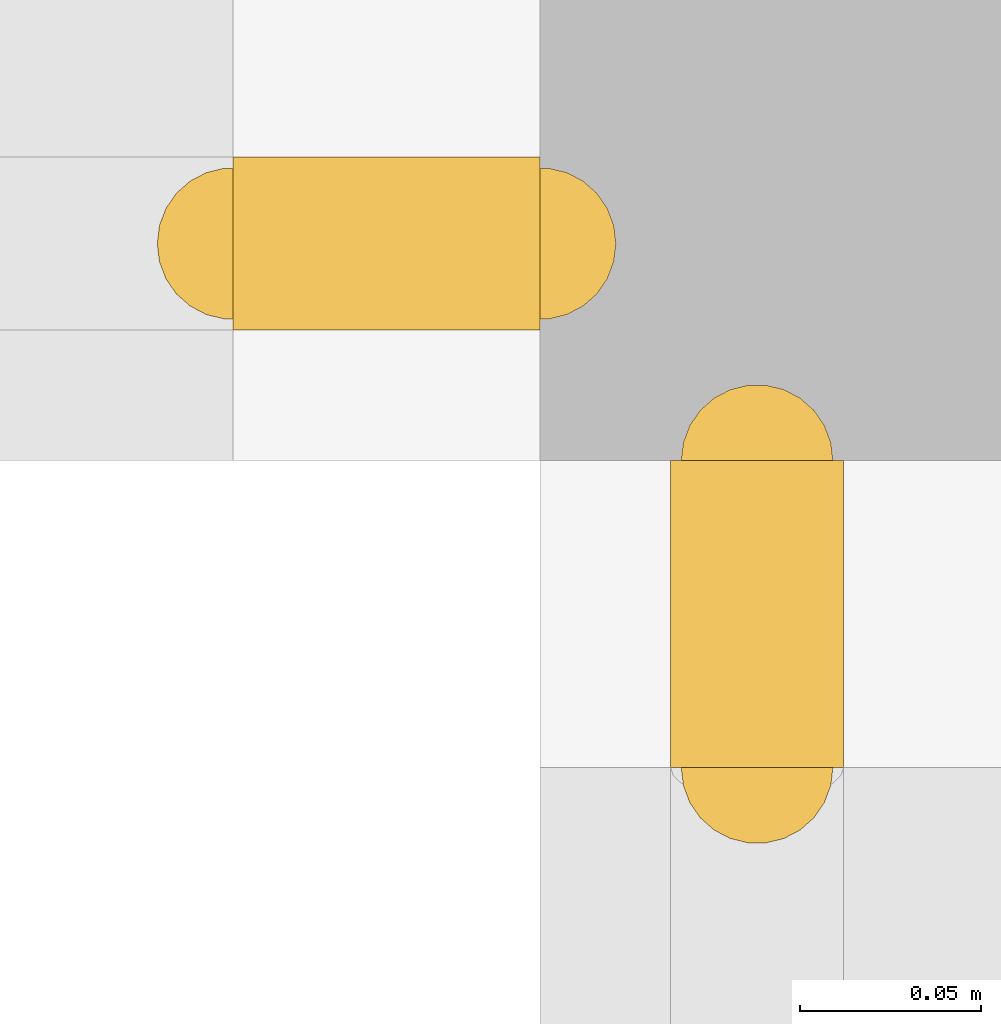
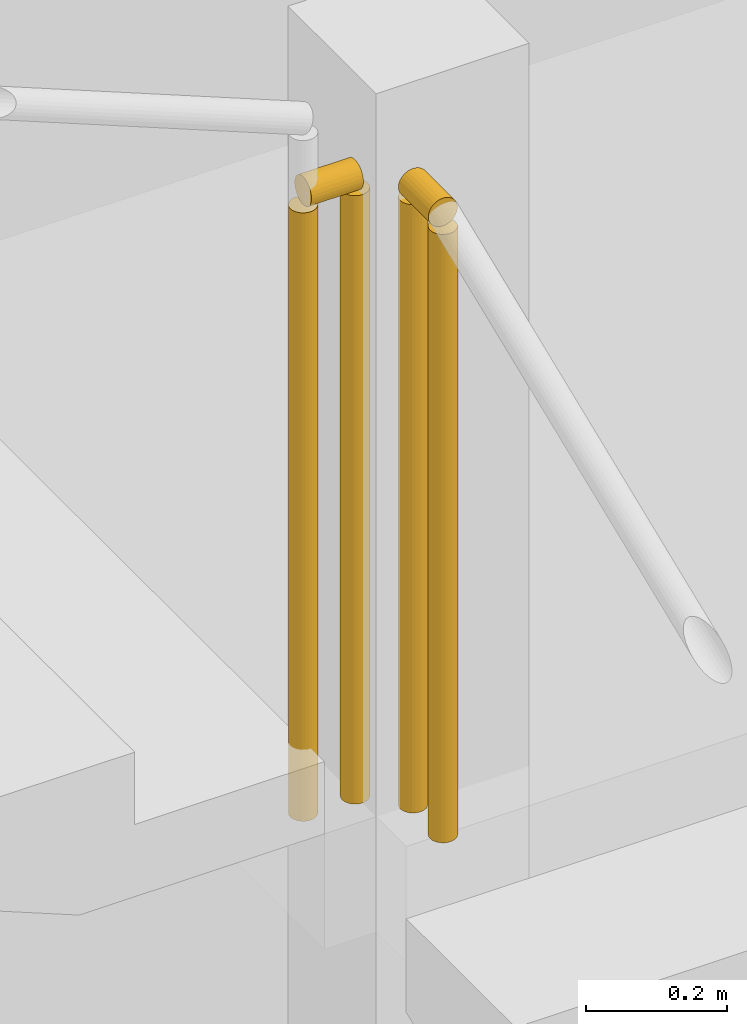
# One storey, part 33 of 37: 2 railings.
"""IFC4 building model written with IfcOpenShell, lengths in metres."""

import ifcopenshell
import ifcopenshell.guid

model = None  # the IFC model being written
_history = None  # IfcOwnerHistory: only IFC2X3 demands one
_inside = {}  # id of a spatial element -> (the spatial element, [elements in it])
_under = {}  # id of a project, library or spatial element -> (it, [spatial elements below it])
_declared = {}  # id of a project -> (the project, [libraries it declares])
_typed = {}  # id of a type object -> (the type object, [elements of that type])
_made_of = {}  # id of a material, layer set ... -> (it, [elements and type objects made of it])


def new_model(schema):
    """Start an empty IFC model of exactly this schema.

    Asked for "IFC4X3", IfcOpenShell would pick the latest addendum, in which some entities
    have other attributes; the version numbers below select the first issue.
    IFC2X3 requires an IfcOwnerHistory on every rooted entity: one is made here for all.
    """
    global model, _history
    if schema == "IFC4X3":
        model = ifcopenshell.file(schema_version=(4, 3, 0, 0))
    else:
        model = ifcopenshell.file(schema=schema)
    _inside.clear()
    _under.clear()
    _declared.clear()
    _typed.clear()
    _made_of.clear()
    _history = None
    if model.schema == "IFC2X3":
        org = make("IfcOrganization", Name="unknown")
        user = make(
            "IfcPersonAndOrganization",
            ThePerson=make("IfcPerson", FamilyName="unknown"),
            TheOrganization=org,
        )
        app = make(
            "IfcApplication",
            ApplicationDeveloper=org,
            Version="unknown",
            ApplicationFullName="unknown",
            ApplicationIdentifier="unknown",
        )
        _history = make(
            "IfcOwnerHistory",
            OwningUser=user,
            OwningApplication=app,
            ChangeAction="ADDED",
            CreationDate=0,
        )
    return model


def make(cls, **values):
    """One entity of the class cls with the attributes given. An attribute that is None is left unset."""
    return model.create_entity(
        cls, **{name: value for name, value in values.items() if value is not None}
    )


def rooted(cls, **values):
    """An entity with a GlobalId (a new one), such as an element, a storey or a relation."""
    return make(cls, GlobalId=ifcopenshell.guid.new(), OwnerHistory=_history, **values)


def si_unit(unit_type, name, prefix=None):
    """IfcSIUnit, for example si_unit("LENGTHUNIT", "METRE", prefix="MILLI")."""
    return make("IfcSIUnit", UnitType=unit_type, Prefix=prefix, Name=name)


def assignment(units):
    """IfcUnitAssignment: the units of a project."""
    return None if units is None else make("IfcUnitAssignment", Units=units)


def point(xyz):
    """IfcCartesianPoint."""
    return None if xyz is None else make("IfcCartesianPoint", Coordinates=xyz)


def direction(xyz):
    """IfcDirection."""
    return None if xyz is None else make("IfcDirection", DirectionRatios=xyz)


def frame(location, z_axis=None, x_axis=None):
    """IfcAxis2Placement3D, a coordinate frame: its origin and axes. An axis left out is left unset."""
    return make(
        "IfcAxis2Placement3D",
        Location=point(location),
        Axis=direction(z_axis),
        RefDirection=direction(x_axis),
    )


def frame_2d(location, x_axis=None):
    """IfcAxis2Placement2D, a coordinate frame in the plane: its origin and x axis."""
    return make(
        "IfcAxis2Placement2D", Location=point(location), RefDirection=direction(x_axis)
    )


def origin():
    """The frame at (0, 0, 0) with its axes left unset."""
    return frame((0.0, 0.0, 0.0))


def origin_2d():
    """The frame at (0, 0) in the plane with its x axis left unset."""
    return frame_2d((0.0, 0.0))


def place(relative_to, where):
    """IfcLocalPlacement: puts the frame where relative to a parent placement (None: the world)."""
    return make(
        "IfcLocalPlacement", PlacementRelTo=relative_to, RelativePlacement=where
    )


def context(
    kind, dimensions, precision=None, world=None, true_north=None, identifier=None
):
    """IfcGeometricRepresentationContext, for example the 3D "Model" context."""
    return make(
        "IfcGeometricRepresentationContext",
        ContextIdentifier=identifier,
        ContextType=kind,
        CoordinateSpaceDimension=dimensions,
        Precision=precision,
        WorldCoordinateSystem=world,
        TrueNorth=true_north,
    )


def subcontext(parent, identifier, kind, view, scale=None):
    """IfcGeometricRepresentationSubContext, for example "Body" below "Model"."""
    return make(
        "IfcGeometricRepresentationSubContext",
        ContextIdentifier=identifier,
        ContextType=kind,
        ParentContext=parent,
        TargetScale=scale,
        TargetView=view,
    )


def project(units=None, contexts=None):
    """IfcProject with its units and contexts."""
    return rooted(
        "IfcProject",
        Name="project",
        RepresentationContexts=contexts,
        UnitsInContext=assignment(units),
    )


def spatial(cls, under=None, at=None, **own):
    """A site, building, storey or space (cls), placed at a placement, below another one or the project."""
    s = rooted(cls, ObjectPlacement=at, **own)
    if under is not None:
        _under.setdefault(under.id(), (under, []))[1].append(s)
    return s


def profile(cls, at=None, kind="AREA", **sizes):
    """A parametric profile (cls). Its sizes go by their IFC names, for example OverallWidth=200.0."""
    return make(cls, ProfileType=kind, Position=at, **sizes)


def circle(**sizes):
    """IfcCircleProfileDef."""
    return profile("IfcCircleProfileDef", **sizes)


def extrude(swept, where, along, depth):
    """IfcExtrudedAreaSolid: the profile swept, set in the frame where, extruded along a direction by depth."""
    return make(
        "IfcExtrudedAreaSolid",
        SweptArea=swept,
        Position=where,
        ExtrudedDirection=direction(along),
        Depth=depth,
    )


def shape(context_of_items, identifier, shape_type, items):
    """IfcShapeRepresentation: the items that make up one representation, for example the "Body"."""
    return make(
        "IfcShapeRepresentation",
        ContextOfItems=context_of_items,
        RepresentationIdentifier=identifier,
        RepresentationType=shape_type,
        Items=items,
    )


def material(Name=None, Category=None):
    """IfcMaterial."""
    return make("IfcMaterial", Name=Name, Category=Category)


def made_of(thing, what):
    """Note that an element or type object is made of a material, layer set ...; save() writes the relation."""
    if what is not None:
        _made_of.setdefault(what.id(), (what, []))[1].append(thing)
    return thing


def type_object(cls, material=None, **own):
    """A type object (cls), such as IfcWallType, which elements share."""
    return made_of(rooted(cls, **own), material)


def element(
    cls,
    number,
    at=None,
    inside=None,
    cuts=None,
    type_object=None,
    material=None,
    context=None,
    identifier="Body",
    shape_type=None,
    held_by="IfcProductDefinitionShape",
    body=None,
    shapes=None,
    **own,
):
    """One element of the class cls, such as IfcWall. Its Tag is "e" and its number.

    at: its placement. inside: the storey or other place that contains it. cuts: it is an
    opening in that element (IfcRelVoidsElement). A single representation is given by context,
    identifier, shape_type and body (its items); several are given by shapes. held_by: the class
    of the entity that holds the representations. save() writes the other relations.
    """
    e = rooted(cls, Tag="e%d" % number, ObjectPlacement=at, **own)
    if body is not None:
        shapes = [shape(context, identifier, shape_type, body)]
    if shapes is not None:
        e.Representation = make(held_by, Representations=shapes)
    if inside is not None:
        _inside.setdefault(inside.id(), (inside, []))[1].append(e)
    if cuts is not None:
        rooted(
            "IfcRelVoidsElement", RelatingBuildingElement=cuts, RelatedOpeningElement=e
        )
    if type_object is not None:
        _typed.setdefault(type_object.id(), (type_object, []))[1].append(e)
    return made_of(e, material)


def aggregate(whole, parts):
    """IfcRelAggregates: a whole, such as a stair, and the parts it consists of."""
    return rooted("IfcRelAggregates", RelatingObject=whole, RelatedObjects=parts)


def save(model, path):
    """Write the relations noted so far, then the file.

    IfcRelAggregates (storeys below a building ...), IfcRelContainedInSpatialStructure (elements
    in a storey), IfcRelDefinesByType, IfcRelAssociatesMaterial and IfcRelDeclares: one each for
    every whole, place, type object, material and project.
    """
    for whole, parts in _under.values():
        aggregate(whole, parts)
    for where, things in _inside.values():
        rooted(
            "IfcRelContainedInSpatialStructure",
            RelatedElements=things,
            RelatingStructure=where,
        )
    for kind, things in _typed.values():
        rooted("IfcRelDefinesByType", RelatedObjects=things, RelatingType=kind)
    for what, things in _made_of.values():
        rooted("IfcRelAssociatesMaterial", RelatedObjects=things, RelatingMaterial=what)
    for by, libraries in _declared.values():
        rooted("IfcRelDeclares", RelatingContext=by, RelatedDefinitions=libraries)
    model.write(path)


model = new_model("IFC4")

# Units and contexts
model_context = context("Model", 3, precision=1e-05, world=origin(), true_north=direction((0.0, 1.0)))
body_context = subcontext(model_context, "Body", "Model", "MODEL_VIEW")
ifc_project = project(units=[si_unit("LENGTHUNIT", "METRE"), si_unit("AREAUNIT", "SQUARE_METRE"), si_unit("VOLUMEUNIT", "CUBIC_METRE"), si_unit("PLANEANGLEUNIT", "RADIAN"), si_unit("MASSUNIT", "GRAM", prefix="KILO")], contexts=[model_context])

# Site, building, storey
site_placement = place(None, origin())
site = spatial("IfcSite", under=ifc_project, at=site_placement, CompositionType="ELEMENT")
building_placement = place(site_placement, origin())
building = spatial("IfcBuilding", under=site, at=building_placement, Name="Rekha Terrace Tower", CompositionType="ELEMENT")
storey_placement = place(building_placement, frame((0.0, 0.0, 232.699951171875)))
storey = spatial("IfcBuildingStorey", under=building, at=storey_placement, Name="L59", CompositionType="ELEMENT", Elevation=232.699951171875)

# Railings
ifc_material = material(Name="Stainless steel balustrade", Category="steel")
railing_type = type_object("IfcRailingType", Name="GR1 1100 stair guard", PredefinedType="GUARDRAIL", material=ifc_material)
railing_1_placement = place(storey_placement, frame((30.135009765625, 44.114990234375, 2.5)))
element("IfcRailing", 1, at=railing_1_placement, inside=storey, type_object=railing_type, Name="Guard ST4 L59 landing 2", PredefinedType="GUARDRAIL", context=body_context, shape_type="SweptSolid", body=[
    extrude(circle(Radius=0.02392578125, at=origin_2d()), frame((0.0, 0.0, 1.076171875), z_axis=(0.0, 1.0, 0.0), x_axis=(-1.0, 0.0, 0.0)), (0.0, 0.0, 1.0), 0.0849609375),
    extrude(circle(Radius=0.02099609375, at=origin_2d()), origin(), (0.0, 0.0, 1.0), 1.052001953125),
    extrude(circle(Radius=0.02099609375, at=origin_2d()), frame((0.0, 0.0849609375, 0.0)), (0.0, 0.0, 1.0), 1.052001953125),
])
railing_2_placement = place(storey_placement, frame((29.989990234375, 44.260009765625, 2.5)))
element("IfcRailing", 2, at=railing_2_placement, inside=storey, type_object=railing_type, Name="Guard ST4 L59 landing 3", PredefinedType="GUARDRAIL", context=body_context, shape_type="SweptSolid", body=[
    extrude(circle(Radius=0.02392578125, at=origin_2d()), frame((0.0, 0.0, 1.076171875), z_axis=(1.0, 0.0, 0.0), x_axis=(0.0, 1.0, 0.0)), (0.0, 0.0, 1.0), 0.0849609375),
    extrude(circle(Radius=0.02099609375, at=origin_2d()), origin(), (0.0, 0.0, 1.0), 1.052001953125),
    extrude(circle(Radius=0.02099609375, at=origin_2d()), frame((0.0849609375, 0.0, 0.0)), (0.0, 0.0, 1.0), 1.052001953125),
])

save(model, "model.ifc")
